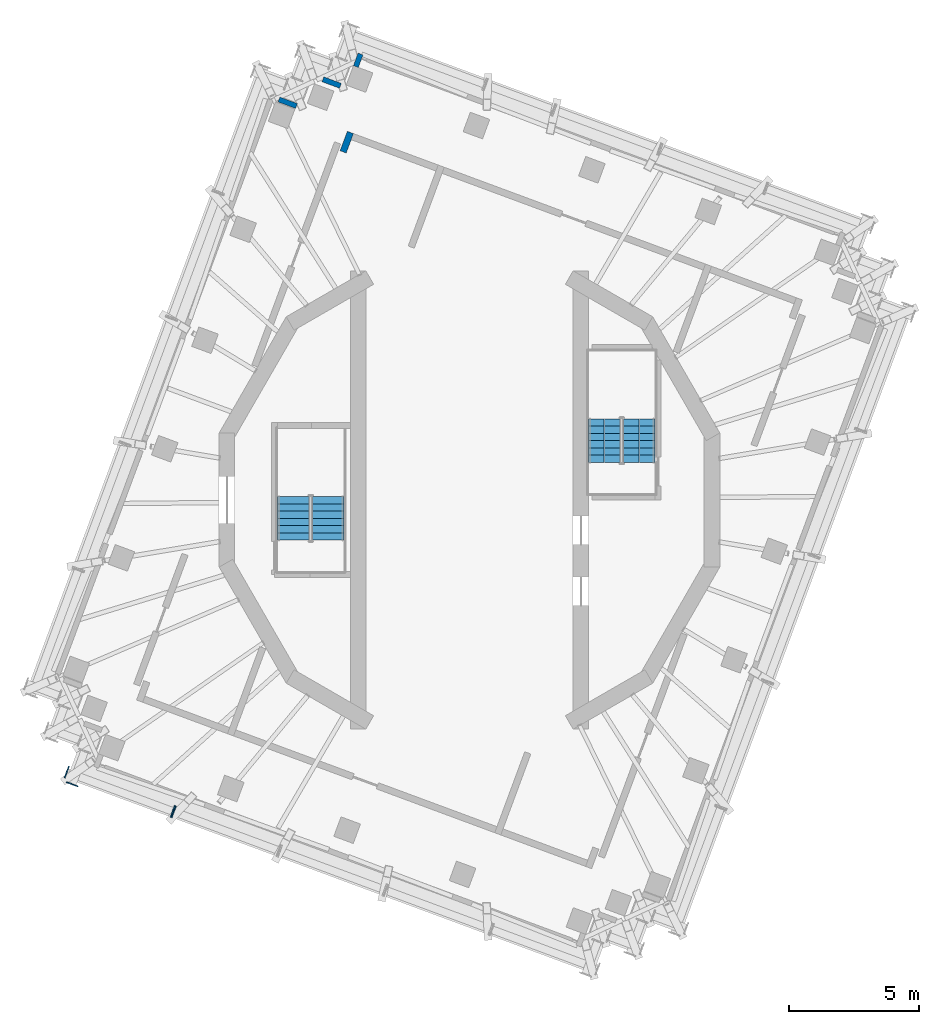
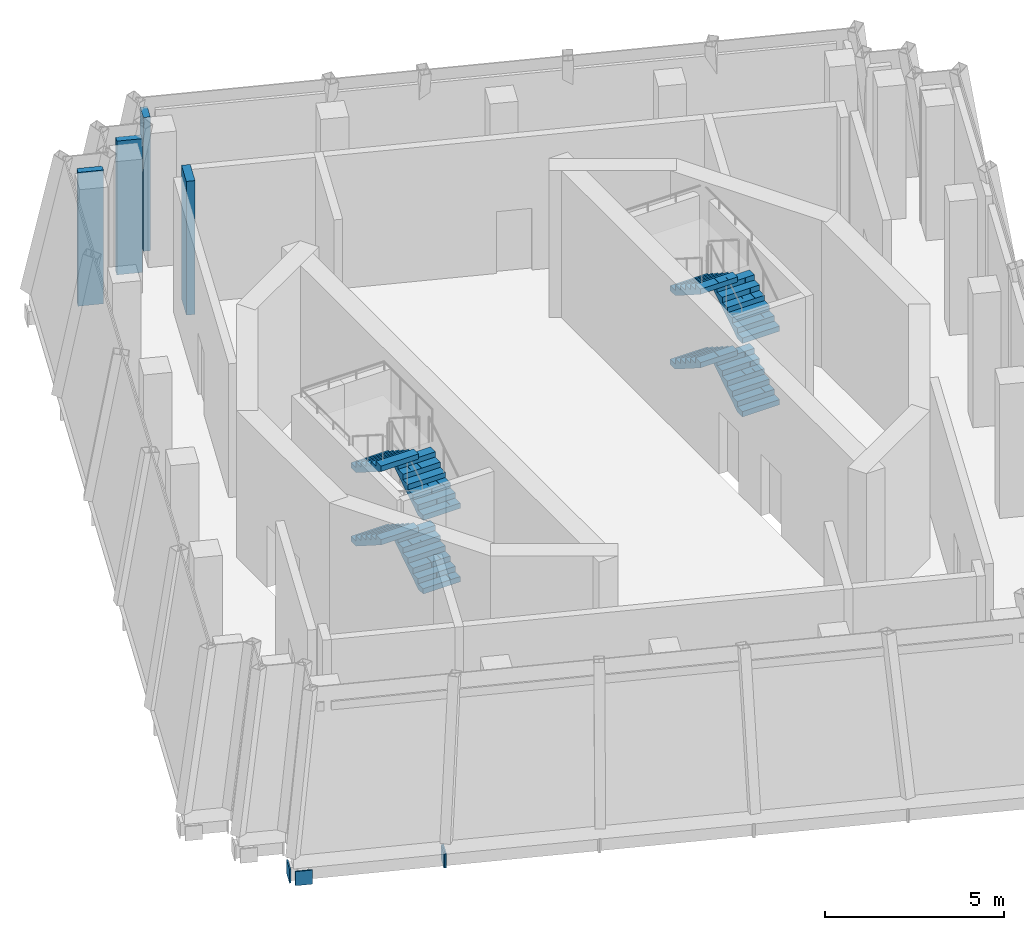
# One storey, part 6 of 13: 8 stair flights, 4 discrete accessories, 4 walls, 5 elements without a shape of their own.
"""IFC4 building model written with IfcOpenShell, lengths in metres."""

from ifc_helpers import new_model, si_unit, direction, frame, frame_2d, origin, place, context, subcontext, project, spatial, polyline, rectangle, outline, extrude, material, layer, layer_set, type_object, element, aggregate, save


model = new_model("IFC4")

# Units and contexts
model_context = context("Model", 3, precision=1e-05, world=origin(), true_north=direction((0.0, 1.0)))
body_context = subcontext(model_context, "Body", "Model", "MODEL_VIEW")
ifc_project = project(units=[si_unit("LENGTHUNIT", "METRE"), si_unit("AREAUNIT", "SQUARE_METRE"), si_unit("VOLUMEUNIT", "CUBIC_METRE"), si_unit("PLANEANGLEUNIT", "RADIAN"), si_unit("MASSUNIT", "GRAM", prefix="KILO")], contexts=[model_context])

# Site, building, storey
site_placement = place(None, origin())
site = spatial("IfcSite", under=ifc_project, at=site_placement, CompositionType="ELEMENT")
building_placement = place(site_placement, origin())
building = spatial("IfcBuilding", under=site, at=building_placement, Name="Cantera Rosa Tower", CompositionType="ELEMENT")
storey_placement = place(building_placement, frame((0.0, 0.0, 355.699951171875)))
storey = spatial("IfcBuildingStorey", under=building, at=storey_placement, Name="L80", CompositionType="ELEMENT", Elevation=355.699951171875)

# Walls
ifc_material_1 = material(Name="Masonry blockwork", Category="masonry")
ifc_layer_1 = layer(ifc_material_1, 0.199951171875)
ifc_layer_set_1 = layer_set([ifc_layer_1], Name="Blockwork partition 200")
wall_type_1 = type_object("IfcWallType", Name="Blockwork partition 200", PredefinedType="PARTITIONING", material=ifc_layer_set_1)
wall_1_placement = place(storey_placement, frame((-4.385009765625, 16.7265625, 0.0), z_axis=(0.0, 0.0, 1.0), x_axis=(0.347545352018, 0.937663174221, 0.0)))
element("IfcWall", 1, at=wall_1_placement, inside=storey, type_object=wall_type_1, Name="Partition L80-27", PredefinedType="PARTITIONING", context=body_context, shape_type="SweptSolid", body=[
    extrude(rectangle(XDim=0.516357421875, YDim=0.199951171875, at=frame_2d((0.25830078125, 0.0))), origin(), (0.0, 0.0, 1.0), 4.550048828125),
])
for number, where, z_axis, x_axis, name in (
    (2, (-6.6767578125, 15.20458984375, 0.0), (0.0, 0.0, 1.0), (-0.937756942673, 0.34729226376, 0.0), "Partition L80-34"),
    (3, (-4.98046875, 15.983642578125, 0.0), (0.0, 0.0, 1.0), (-0.937646454499, 0.347590457816, 0.0), "Partition L80-36"),
):
    element("IfcWall", number, at=place(storey_placement, frame(where, z_axis=z_axis, x_axis=x_axis)), inside=storey, type_object=wall_type_1, Name=name, PredefinedType="PARTITIONING", context=body_context, shape_type="SweptSolid", body=[
        extrude(rectangle(XDim=0.719970703125, YDim=0.199951171875, at=frame_2d((0.35986328125, 0.0))), origin(), (0.0, 0.0, 1.0), 4.550048828125),
    ])
ifc_material_2 = material(Name="Masonry blockwork", Category="masonry")
ifc_layer_2 = layer(ifc_material_2, 0.25)
ifc_layer_set_2 = layer_set([ifc_layer_2], Name="Fire-rated wall 250")
wall_type_2 = type_object("IfcWallType", Name="Fire-rated wall 250", PredefinedType="PARTITIONING", material=ifc_layer_set_2)
wall_2_placement = place(storey_placement, frame((-4.875244140625, 13.43408203125, 0.0), z_axis=(0.0, 0.0, 1.0), x_axis=(0.347672542266, 0.937616021277, 0.0)))
element("IfcWall", 4, at=wall_2_placement, inside=storey, type_object=wall_type_2, Name="Fire wall L80-7", PredefinedType="PARTITIONING", context=body_context, shape_type="SweptSolid", body=[
    extrude(rectangle(XDim=0.799072265625, YDim=0.25, at=frame_2d((0.3994140625, 0.0))), origin(), (0.0, 0.0, 1.0), 4.550048828125),
])

# Stair, stair flights
ifc_material_3 = material(Name="Concrete C35/45", Category="concrete")
stair_type = type_object("IfcStairType", Name="EXIT STAIR 1200 DOGLEG", PredefinedType="HALF_TURN_STAIR", material=ifc_material_3)
stair_1_placement = place(storey_placement, origin())
stair_1 = element("IfcStair", 5, at=stair_1_placement, inside=storey, type_object=stair_type, Name="L80 ST-71", PredefinedType="HALF_TURN_STAIR")
ifc_material_4 = material(Name="Concrete C35/45", Category="concrete")
stair_flight_type = type_object("IfcStairFlightType", Name="STAIR FLIGHT 1200 R28x179", PredefinedType="STRAIGHT", material=ifc_material_4)
stair_flight_1_placement = place(storey_placement, frame((-5.449951171875, -1.550048828125, 0.0), z_axis=(0.0, 0.0, 1.0), x_axis=(0.0, 1.0, 0.0)))
stair_flight_1 = element("IfcStairFlight", 6, at=stair_flight_1_placement, type_object=stair_flight_type, Name="ST-71 flight 1", NumberOfRisers=7, NumberOfTreads=6, PredefinedType="STRAIGHT", RiserHeight=0.178571429, TreadLength=0.28, context=body_context, shape_type="SweptSolid", body=[
    extrude(outline(polyline([(0.0, 0.0), (0.0, 0.178466796875), (0.280029296875, 0.178466796875), (0.280029296875, 0.357177734375), (0.56005859375, 0.357177734375), (0.56005859375, 0.53564453125), (0.840087890625, 0.53564453125), (0.840087890625, 0.71435546875), (1.1201171875, 0.71435546875), (1.1201171875, 0.892822265625), (1.39990234375, 0.892822265625), (1.39990234375, 1.071533203125), (1.679931640625, 1.071533203125), (1.679931640625, 1.25), (1.679931640625, 0.8935546875), (0.27880859375, 0.0), (0.0, 0.0)])), frame((0.0, 0.60009765625, 0.0), z_axis=(0.0, -1.0, 0.0), x_axis=(1.0, 0.0, 0.0)), (0.0, 0.0, 1.0), 0.298583984375),
    extrude(outline(polyline([(0.0, 0.0), (0.0, 0.178466796875), (0.280029296875, 0.178466796875), (0.280029296875, 0.357177734375), (0.56005859375, 0.357177734375), (0.56005859375, 0.53564453125), (0.840087890625, 0.53564453125), (0.840087890625, 0.71435546875), (1.1201171875, 0.71435546875), (1.1201171875, 0.892822265625), (1.39990234375, 0.892822265625), (1.39990234375, 1.071533203125), (1.679931640625, 1.071533203125), (1.679931640625, 1.25), (1.679931640625, 0.8935546875), (0.27880859375, 0.0), (0.0, 0.0)])), frame((0.0, 0.29931640625, 0.0), z_axis=(0.0, -1.0, 0.0), x_axis=(1.0, 0.0, 0.0)), (0.0, 0.0, 1.0), 0.298583984375),
    extrude(outline(polyline([(0.0, 0.0), (0.0, 0.178466796875), (0.280029296875, 0.178466796875), (0.280029296875, 0.357177734375), (0.56005859375, 0.357177734375), (0.56005859375, 0.53564453125), (0.840087890625, 0.53564453125), (0.840087890625, 0.71435546875), (1.1201171875, 0.71435546875), (1.1201171875, 0.892822265625), (1.39990234375, 0.892822265625), (1.39990234375, 1.071533203125), (1.679931640625, 1.071533203125), (1.679931640625, 1.25), (1.679931640625, 0.8935546875), (0.27880859375, 0.0), (0.0, 0.0)])), frame((0.0, -0.0009765625, 0.0), z_axis=(0.0, -1.0, 0.0), x_axis=(1.0, 0.0, 0.0)), (0.0, 0.0, 1.0), 0.298583984375),
    extrude(outline(polyline([(0.0, 0.0), (0.0, 0.178466796875), (0.280029296875, 0.178466796875), (0.280029296875, 0.357177734375), (0.56005859375, 0.357177734375), (0.56005859375, 0.53564453125), (0.840087890625, 0.53564453125), (0.840087890625, 0.71435546875), (1.1201171875, 0.71435546875), (1.1201171875, 0.892822265625), (1.39990234375, 0.892822265625), (1.39990234375, 1.071533203125), (1.679931640625, 1.071533203125), (1.679931640625, 1.25), (1.679931640625, 0.8935546875), (0.27880859375, 0.0), (0.0, 0.0)])), frame((0.0, -0.3017578125, 0.0), z_axis=(0.0, -1.0, 0.0), x_axis=(1.0, 0.0, 0.0)), (0.0, 0.0, 1.0), 0.298583984375),
])
stair_flight_2_placement = place(storey_placement, frame((-6.800048828125, 0.1298828125, 1.25), z_axis=(0.0, 0.0, 1.0), x_axis=(0.0, -1.0, 0.0)))
stair_flight_2 = element("IfcStairFlight", 7, at=stair_flight_2_placement, type_object=stair_flight_type, Name="ST-71 flight 2", NumberOfRisers=7, NumberOfTreads=6, PredefinedType="STRAIGHT", RiserHeight=0.178571429, TreadLength=0.28, context=body_context, shape_type="SweptSolid", body=[
    extrude(outline(polyline([(0.0, 0.0), (0.0, 0.178466796875), (0.280029296875, 0.178466796875), (0.280029296875, 0.357177734375), (0.56005859375, 0.357177734375), (0.56005859375, 0.53564453125), (0.840087890625, 0.53564453125), (0.840087890625, 0.71435546875), (1.1201171875, 0.71435546875), (1.1201171875, 0.892822265625), (1.39990234375, 0.892822265625), (1.39990234375, 1.071533203125), (1.679931640625, 1.071533203125), (1.679931640625, 1.25), (1.679931640625, 0.8935546875), (0.27880859375, 0.0), (0.0, 0.0)])), frame((0.0, 0.60009765625, 0.0), z_axis=(0.0, -1.0, 0.0), x_axis=(1.0, 0.0, 0.0)), (0.0, 0.0, 1.0), 0.298583984375),
    extrude(outline(polyline([(0.0, 0.0), (0.0, 0.178466796875), (0.280029296875, 0.178466796875), (0.280029296875, 0.357177734375), (0.56005859375, 0.357177734375), (0.56005859375, 0.53564453125), (0.840087890625, 0.53564453125), (0.840087890625, 0.71435546875), (1.1201171875, 0.71435546875), (1.1201171875, 0.892822265625), (1.39990234375, 0.892822265625), (1.39990234375, 1.071533203125), (1.679931640625, 1.071533203125), (1.679931640625, 1.25), (1.679931640625, 0.8935546875), (0.27880859375, 0.0), (0.0, 0.0)])), frame((0.0, 0.29931640625, 0.0), z_axis=(0.0, -1.0, 0.0), x_axis=(1.0, 0.0, 0.0)), (0.0, 0.0, 1.0), 0.298583984375),
    extrude(outline(polyline([(0.0, 0.0), (0.0, 0.178466796875), (0.280029296875, 0.178466796875), (0.280029296875, 0.357177734375), (0.56005859375, 0.357177734375), (0.56005859375, 0.53564453125), (0.840087890625, 0.53564453125), (0.840087890625, 0.71435546875), (1.1201171875, 0.71435546875), (1.1201171875, 0.892822265625), (1.39990234375, 0.892822265625), (1.39990234375, 1.071533203125), (1.679931640625, 1.071533203125), (1.679931640625, 1.25), (1.679931640625, 0.8935546875), (0.27880859375, 0.0), (0.0, 0.0)])), frame((0.0, -0.0009765625, 0.0), z_axis=(0.0, -1.0, 0.0), x_axis=(1.0, 0.0, 0.0)), (0.0, 0.0, 1.0), 0.298583984375),
    extrude(outline(polyline([(0.0, 0.0), (0.0, 0.178466796875), (0.280029296875, 0.178466796875), (0.280029296875, 0.357177734375), (0.56005859375, 0.357177734375), (0.56005859375, 0.53564453125), (0.840087890625, 0.53564453125), (0.840087890625, 0.71435546875), (1.1201171875, 0.71435546875), (1.1201171875, 0.892822265625), (1.39990234375, 0.892822265625), (1.39990234375, 1.071533203125), (1.679931640625, 1.071533203125), (1.679931640625, 1.25), (1.679931640625, 0.8935546875), (0.27880859375, 0.0), (0.0, 0.0)])), frame((0.0, -0.3017578125, 0.0), z_axis=(0.0, -1.0, 0.0), x_axis=(1.0, 0.0, 0.0)), (0.0, 0.0, 1.0), 0.298583984375),
])
stair_flight_3_placement = place(storey_placement, frame((-5.449951171875, -1.550048828125, 2.5), z_axis=(0.0, 0.0, 1.0), x_axis=(0.0, 1.0, 0.0)))
stair_flight_3 = element("IfcStairFlight", 8, at=stair_flight_3_placement, type_object=stair_flight_type, Name="ST-71 flight 3", NumberOfRisers=7, NumberOfTreads=6, PredefinedType="STRAIGHT", RiserHeight=0.178571429, TreadLength=0.28, context=body_context, shape_type="SweptSolid", body=[
    extrude(outline(polyline([(0.0, 0.0), (0.0, 0.178466796875), (0.280029296875, 0.178466796875), (0.280029296875, 0.357177734375), (0.56005859375, 0.357177734375), (0.56005859375, 0.53564453125), (0.840087890625, 0.53564453125), (0.840087890625, 0.71435546875), (1.1201171875, 0.71435546875), (1.1201171875, 0.892822265625), (1.39990234375, 0.892822265625), (1.39990234375, 1.071533203125), (1.679931640625, 1.071533203125), (1.679931640625, 1.25), (1.679931640625, 0.8935546875), (0.27880859375, 0.0), (0.0, 0.0)])), frame((0.0, 0.60009765625, 0.0), z_axis=(0.0, -1.0, 0.0), x_axis=(1.0, 0.0, 0.0)), (0.0, 0.0, 1.0), 0.298583984375),
    extrude(outline(polyline([(0.0, 0.0), (0.0, 0.178466796875), (0.280029296875, 0.178466796875), (0.280029296875, 0.357177734375), (0.56005859375, 0.357177734375), (0.56005859375, 0.53564453125), (0.840087890625, 0.53564453125), (0.840087890625, 0.71435546875), (1.1201171875, 0.71435546875), (1.1201171875, 0.892822265625), (1.39990234375, 0.892822265625), (1.39990234375, 1.071533203125), (1.679931640625, 1.071533203125), (1.679931640625, 1.25), (1.679931640625, 0.8935546875), (0.27880859375, 0.0), (0.0, 0.0)])), frame((0.0, 0.29931640625, 0.0), z_axis=(0.0, -1.0, 0.0), x_axis=(1.0, 0.0, 0.0)), (0.0, 0.0, 1.0), 0.298583984375),
    extrude(outline(polyline([(0.0, 0.0), (0.0, 0.178466796875), (0.280029296875, 0.178466796875), (0.280029296875, 0.357177734375), (0.56005859375, 0.357177734375), (0.56005859375, 0.53564453125), (0.840087890625, 0.53564453125), (0.840087890625, 0.71435546875), (1.1201171875, 0.71435546875), (1.1201171875, 0.892822265625), (1.39990234375, 0.892822265625), (1.39990234375, 1.071533203125), (1.679931640625, 1.071533203125), (1.679931640625, 1.25), (1.679931640625, 0.8935546875), (0.27880859375, 0.0), (0.0, 0.0)])), frame((0.0, -0.0009765625, 0.0), z_axis=(0.0, -1.0, 0.0), x_axis=(1.0, 0.0, 0.0)), (0.0, 0.0, 1.0), 0.298583984375),
    extrude(outline(polyline([(0.0, 0.0), (0.0, 0.178466796875), (0.280029296875, 0.178466796875), (0.280029296875, 0.357177734375), (0.56005859375, 0.357177734375), (0.56005859375, 0.53564453125), (0.840087890625, 0.53564453125), (0.840087890625, 0.71435546875), (1.1201171875, 0.71435546875), (1.1201171875, 0.892822265625), (1.39990234375, 0.892822265625), (1.39990234375, 1.071533203125), (1.679931640625, 1.071533203125), (1.679931640625, 1.25), (1.679931640625, 0.8935546875), (0.27880859375, 0.0), (0.0, 0.0)])), frame((0.0, -0.3017578125, 0.0), z_axis=(0.0, -1.0, 0.0), x_axis=(1.0, 0.0, 0.0)), (0.0, 0.0, 1.0), 0.298583984375),
])
stair_flight_4_placement = place(storey_placement, frame((-6.800048828125, 0.1298828125, 3.75), z_axis=(0.0, 0.0, 1.0), x_axis=(0.0, -1.0, 0.0)))
stair_flight_4 = element("IfcStairFlight", 9, at=stair_flight_4_placement, type_object=stair_flight_type, Name="ST-71 flight 4", NumberOfRisers=7, NumberOfTreads=6, PredefinedType="STRAIGHT", RiserHeight=0.178571429, TreadLength=0.28, context=body_context, shape_type="SweptSolid", body=[
    extrude(outline(polyline([(0.0, 0.0), (0.0, 0.178466796875), (0.280029296875, 0.178466796875), (0.280029296875, 0.357177734375), (0.56005859375, 0.357177734375), (0.56005859375, 0.53564453125), (0.840087890625, 0.53564453125), (0.840087890625, 0.71435546875), (1.1201171875, 0.71435546875), (1.1201171875, 0.892822265625), (1.39990234375, 0.892822265625), (1.39990234375, 1.071533203125), (1.679931640625, 1.071533203125), (1.679931640625, 1.25), (1.679931640625, 0.8935546875), (0.27880859375, 0.0), (0.0, 0.0)])), frame((0.0, 0.60009765625, 0.0), z_axis=(0.0, -1.0, 0.0), x_axis=(1.0, 0.0, 0.0)), (0.0, 0.0, 1.0), 0.298583984375),
    extrude(outline(polyline([(0.0, 0.0), (0.0, 0.178466796875), (0.280029296875, 0.178466796875), (0.280029296875, 0.357177734375), (0.56005859375, 0.357177734375), (0.56005859375, 0.53564453125), (0.840087890625, 0.53564453125), (0.840087890625, 0.71435546875), (1.1201171875, 0.71435546875), (1.1201171875, 0.892822265625), (1.39990234375, 0.892822265625), (1.39990234375, 1.071533203125), (1.679931640625, 1.071533203125), (1.679931640625, 1.25), (1.679931640625, 0.8935546875), (0.27880859375, 0.0), (0.0, 0.0)])), frame((0.0, 0.29931640625, 0.0), z_axis=(0.0, -1.0, 0.0), x_axis=(1.0, 0.0, 0.0)), (0.0, 0.0, 1.0), 0.298583984375),
    extrude(outline(polyline([(0.0, 0.0), (0.0, 0.178466796875), (0.280029296875, 0.178466796875), (0.280029296875, 0.357177734375), (0.56005859375, 0.357177734375), (0.56005859375, 0.53564453125), (0.840087890625, 0.53564453125), (0.840087890625, 0.71435546875), (1.1201171875, 0.71435546875), (1.1201171875, 0.892822265625), (1.39990234375, 0.892822265625), (1.39990234375, 1.071533203125), (1.679931640625, 1.071533203125), (1.679931640625, 1.25), (1.679931640625, 0.8935546875), (0.27880859375, 0.0), (0.0, 0.0)])), frame((0.0, -0.0009765625, 0.0), z_axis=(0.0, -1.0, 0.0), x_axis=(1.0, 0.0, 0.0)), (0.0, 0.0, 1.0), 0.298583984375),
    extrude(outline(polyline([(0.0, 0.0), (0.0, 0.178466796875), (0.280029296875, 0.178466796875), (0.280029296875, 0.357177734375), (0.56005859375, 0.357177734375), (0.56005859375, 0.53564453125), (0.840087890625, 0.53564453125), (0.840087890625, 0.71435546875), (1.1201171875, 0.71435546875), (1.1201171875, 0.892822265625), (1.39990234375, 0.892822265625), (1.39990234375, 1.071533203125), (1.679931640625, 1.071533203125), (1.679931640625, 1.25), (1.679931640625, 0.8935546875), (0.27880859375, 0.0), (0.0, 0.0)])), frame((0.0, -0.3017578125, 0.0), z_axis=(0.0, -1.0, 0.0), x_axis=(1.0, 0.0, 0.0)), (0.0, 0.0, 1.0), 0.298583984375),
])
aggregate(stair_1, [stair_flight_1, stair_flight_2, stair_flight_3, stair_flight_4])

stair_2_placement = place(storey_placement, origin())
stair_2 = element("IfcStair", 10, at=stair_2_placement, inside=storey, type_object=stair_type, Name="L80 ST-72", PredefinedType="HALF_TURN_STAIR")
stair_flight_5_placement = place(storey_placement, frame((6.550048828125, 1.449951171875, 0.0), z_axis=(0.0, 0.0, 1.0), x_axis=(0.0, 1.0, 0.0)))
stair_flight_5 = element("IfcStairFlight", 11, at=stair_flight_5_placement, type_object=stair_flight_type, Name="ST-72 flight 1", NumberOfRisers=7, NumberOfTreads=6, PredefinedType="STRAIGHT", RiserHeight=0.178571429, TreadLength=0.28, context=body_context, shape_type="SweptSolid", body=[
    extrude(outline(polyline([(0.0, 0.0), (0.0, 0.178466796875), (0.280029296875, 0.178466796875), (0.280029296875, 0.357177734375), (0.56005859375, 0.357177734375), (0.56005859375, 0.53564453125), (0.840087890625, 0.53564453125), (0.840087890625, 0.71435546875), (1.1201171875, 0.71435546875), (1.1201171875, 0.892822265625), (1.39990234375, 0.892822265625), (1.39990234375, 1.071533203125), (1.679931640625, 1.071533203125), (1.679931640625, 1.25), (1.679931640625, 0.8935546875), (0.27880859375, 0.0), (0.0, 0.0)])), frame((0.0, 0.60009765625, 0.0), z_axis=(0.0, -1.0, 0.0), x_axis=(1.0, 0.0, 0.0)), (0.0, 0.0, 1.0), 0.298583984375),
    extrude(outline(polyline([(0.0, 0.0), (0.0, 0.178466796875), (0.280029296875, 0.178466796875), (0.280029296875, 0.357177734375), (0.56005859375, 0.357177734375), (0.56005859375, 0.53564453125), (0.840087890625, 0.53564453125), (0.840087890625, 0.71435546875), (1.1201171875, 0.71435546875), (1.1201171875, 0.892822265625), (1.39990234375, 0.892822265625), (1.39990234375, 1.071533203125), (1.679931640625, 1.071533203125), (1.679931640625, 1.25), (1.679931640625, 0.8935546875), (0.27880859375, 0.0), (0.0, 0.0)])), frame((0.0, 0.29931640625, 0.0), z_axis=(0.0, -1.0, 0.0), x_axis=(1.0, 0.0, 0.0)), (0.0, 0.0, 1.0), 0.298583984375),
    extrude(outline(polyline([(0.0, 0.0), (0.0, 0.178466796875), (0.280029296875, 0.178466796875), (0.280029296875, 0.357177734375), (0.56005859375, 0.357177734375), (0.56005859375, 0.53564453125), (0.840087890625, 0.53564453125), (0.840087890625, 0.71435546875), (1.1201171875, 0.71435546875), (1.1201171875, 0.892822265625), (1.39990234375, 0.892822265625), (1.39990234375, 1.071533203125), (1.679931640625, 1.071533203125), (1.679931640625, 1.25), (1.679931640625, 0.8935546875), (0.27880859375, 0.0), (0.0, 0.0)])), frame((0.0, -0.0009765625, 0.0), z_axis=(0.0, -1.0, 0.0), x_axis=(1.0, 0.0, 0.0)), (0.0, 0.0, 1.0), 0.298583984375),
    extrude(outline(polyline([(0.0, 0.0), (0.0, 0.178466796875), (0.280029296875, 0.178466796875), (0.280029296875, 0.357177734375), (0.56005859375, 0.357177734375), (0.56005859375, 0.53564453125), (0.840087890625, 0.53564453125), (0.840087890625, 0.71435546875), (1.1201171875, 0.71435546875), (1.1201171875, 0.892822265625), (1.39990234375, 0.892822265625), (1.39990234375, 1.071533203125), (1.679931640625, 1.071533203125), (1.679931640625, 1.25), (1.679931640625, 0.8935546875), (0.27880859375, 0.0), (0.0, 0.0)])), frame((0.0, -0.3017578125, 0.0), z_axis=(0.0, -1.0, 0.0), x_axis=(1.0, 0.0, 0.0)), (0.0, 0.0, 1.0), 0.298583984375),
])
stair_flight_6_placement = place(storey_placement, frame((5.199951171875, 3.1298828125, 1.25), z_axis=(0.0, 0.0, 1.0), x_axis=(0.0, -1.0, 0.0)))
stair_flight_6 = element("IfcStairFlight", 12, at=stair_flight_6_placement, type_object=stair_flight_type, Name="ST-72 flight 2", NumberOfRisers=7, NumberOfTreads=6, PredefinedType="STRAIGHT", RiserHeight=0.178571429, TreadLength=0.28, context=body_context, shape_type="SweptSolid", body=[
    extrude(outline(polyline([(0.0, 0.0), (0.0, 0.178466796875), (0.280029296875, 0.178466796875), (0.280029296875, 0.357177734375), (0.56005859375, 0.357177734375), (0.56005859375, 0.53564453125), (0.840087890625, 0.53564453125), (0.840087890625, 0.71435546875), (1.1201171875, 0.71435546875), (1.1201171875, 0.892822265625), (1.39990234375, 0.892822265625), (1.39990234375, 1.071533203125), (1.679931640625, 1.071533203125), (1.679931640625, 1.25), (1.679931640625, 0.8935546875), (0.27880859375, 0.0), (0.0, 0.0)])), frame((0.0, 0.60009765625, 0.0), z_axis=(0.0, -1.0, 0.0), x_axis=(1.0, 0.0, 0.0)), (0.0, 0.0, 1.0), 0.298583984375),
    extrude(outline(polyline([(0.0, 0.0), (0.0, 0.178466796875), (0.280029296875, 0.178466796875), (0.280029296875, 0.357177734375), (0.56005859375, 0.357177734375), (0.56005859375, 0.53564453125), (0.840087890625, 0.53564453125), (0.840087890625, 0.71435546875), (1.1201171875, 0.71435546875), (1.1201171875, 0.892822265625), (1.39990234375, 0.892822265625), (1.39990234375, 1.071533203125), (1.679931640625, 1.071533203125), (1.679931640625, 1.25), (1.679931640625, 0.8935546875), (0.27880859375, 0.0), (0.0, 0.0)])), frame((0.0, 0.29931640625, 0.0), z_axis=(0.0, -1.0, 0.0), x_axis=(1.0, 0.0, 0.0)), (0.0, 0.0, 1.0), 0.298583984375),
    extrude(outline(polyline([(0.0, 0.0), (0.0, 0.178466796875), (0.280029296875, 0.178466796875), (0.280029296875, 0.357177734375), (0.56005859375, 0.357177734375), (0.56005859375, 0.53564453125), (0.840087890625, 0.53564453125), (0.840087890625, 0.71435546875), (1.1201171875, 0.71435546875), (1.1201171875, 0.892822265625), (1.39990234375, 0.892822265625), (1.39990234375, 1.071533203125), (1.679931640625, 1.071533203125), (1.679931640625, 1.25), (1.679931640625, 0.8935546875), (0.27880859375, 0.0), (0.0, 0.0)])), frame((0.0, -0.0009765625, 0.0), z_axis=(0.0, -1.0, 0.0), x_axis=(1.0, 0.0, 0.0)), (0.0, 0.0, 1.0), 0.298583984375),
    extrude(outline(polyline([(0.0, 0.0), (0.0, 0.178466796875), (0.280029296875, 0.178466796875), (0.280029296875, 0.357177734375), (0.56005859375, 0.357177734375), (0.56005859375, 0.53564453125), (0.840087890625, 0.53564453125), (0.840087890625, 0.71435546875), (1.1201171875, 0.71435546875), (1.1201171875, 0.892822265625), (1.39990234375, 0.892822265625), (1.39990234375, 1.071533203125), (1.679931640625, 1.071533203125), (1.679931640625, 1.25), (1.679931640625, 0.8935546875), (0.27880859375, 0.0), (0.0, 0.0)])), frame((0.0, -0.3017578125, 0.0), z_axis=(0.0, -1.0, 0.0), x_axis=(1.0, 0.0, 0.0)), (0.0, 0.0, 1.0), 0.298583984375),
])
stair_flight_7_placement = place(storey_placement, frame((6.550048828125, 1.449951171875, 2.5), z_axis=(0.0, 0.0, 1.0), x_axis=(0.0, 1.0, 0.0)))
stair_flight_7 = element("IfcStairFlight", 13, at=stair_flight_7_placement, type_object=stair_flight_type, Name="ST-72 flight 3", NumberOfRisers=7, NumberOfTreads=6, PredefinedType="STRAIGHT", RiserHeight=0.178571429, TreadLength=0.28, context=body_context, shape_type="SweptSolid", body=[
    extrude(outline(polyline([(0.0, 0.0), (0.0, 0.178466796875), (0.280029296875, 0.178466796875), (0.280029296875, 0.357177734375), (0.56005859375, 0.357177734375), (0.56005859375, 0.53564453125), (0.840087890625, 0.53564453125), (0.840087890625, 0.71435546875), (1.1201171875, 0.71435546875), (1.1201171875, 0.892822265625), (1.39990234375, 0.892822265625), (1.39990234375, 1.071533203125), (1.679931640625, 1.071533203125), (1.679931640625, 1.25), (1.679931640625, 0.8935546875), (0.27880859375, 0.0), (0.0, 0.0)])), frame((0.0, 0.60009765625, 0.0), z_axis=(0.0, -1.0, 0.0), x_axis=(1.0, 0.0, 0.0)), (0.0, 0.0, 1.0), 0.298583984375),
    extrude(outline(polyline([(0.0, 0.0), (0.0, 0.178466796875), (0.280029296875, 0.178466796875), (0.280029296875, 0.357177734375), (0.56005859375, 0.357177734375), (0.56005859375, 0.53564453125), (0.840087890625, 0.53564453125), (0.840087890625, 0.71435546875), (1.1201171875, 0.71435546875), (1.1201171875, 0.892822265625), (1.39990234375, 0.892822265625), (1.39990234375, 1.071533203125), (1.679931640625, 1.071533203125), (1.679931640625, 1.25), (1.679931640625, 0.8935546875), (0.27880859375, 0.0), (0.0, 0.0)])), frame((0.0, 0.29931640625, 0.0), z_axis=(0.0, -1.0, 0.0), x_axis=(1.0, 0.0, 0.0)), (0.0, 0.0, 1.0), 0.298583984375),
    extrude(outline(polyline([(0.0, 0.0), (0.0, 0.178466796875), (0.280029296875, 0.178466796875), (0.280029296875, 0.357177734375), (0.56005859375, 0.357177734375), (0.56005859375, 0.53564453125), (0.840087890625, 0.53564453125), (0.840087890625, 0.71435546875), (1.1201171875, 0.71435546875), (1.1201171875, 0.892822265625), (1.39990234375, 0.892822265625), (1.39990234375, 1.071533203125), (1.679931640625, 1.071533203125), (1.679931640625, 1.25), (1.679931640625, 0.8935546875), (0.27880859375, 0.0), (0.0, 0.0)])), frame((0.0, -0.0009765625, 0.0), z_axis=(0.0, -1.0, 0.0), x_axis=(1.0, 0.0, 0.0)), (0.0, 0.0, 1.0), 0.298583984375),
    extrude(outline(polyline([(0.0, 0.0), (0.0, 0.178466796875), (0.280029296875, 0.178466796875), (0.280029296875, 0.357177734375), (0.56005859375, 0.357177734375), (0.56005859375, 0.53564453125), (0.840087890625, 0.53564453125), (0.840087890625, 0.71435546875), (1.1201171875, 0.71435546875), (1.1201171875, 0.892822265625), (1.39990234375, 0.892822265625), (1.39990234375, 1.071533203125), (1.679931640625, 1.071533203125), (1.679931640625, 1.25), (1.679931640625, 0.8935546875), (0.27880859375, 0.0), (0.0, 0.0)])), frame((0.0, -0.3017578125, 0.0), z_axis=(0.0, -1.0, 0.0), x_axis=(1.0, 0.0, 0.0)), (0.0, 0.0, 1.0), 0.298583984375),
])
stair_flight_8_placement = place(storey_placement, frame((5.199951171875, 3.1298828125, 3.75), z_axis=(0.0, 0.0, 1.0), x_axis=(0.0, -1.0, 0.0)))
stair_flight_8 = element("IfcStairFlight", 14, at=stair_flight_8_placement, type_object=stair_flight_type, Name="ST-72 flight 4", NumberOfRisers=7, NumberOfTreads=6, PredefinedType="STRAIGHT", RiserHeight=0.178571429, TreadLength=0.28, context=body_context, shape_type="SweptSolid", body=[
    extrude(outline(polyline([(0.0, 0.0), (0.0, 0.178466796875), (0.280029296875, 0.178466796875), (0.280029296875, 0.357177734375), (0.56005859375, 0.357177734375), (0.56005859375, 0.53564453125), (0.840087890625, 0.53564453125), (0.840087890625, 0.71435546875), (1.1201171875, 0.71435546875), (1.1201171875, 0.892822265625), (1.39990234375, 0.892822265625), (1.39990234375, 1.071533203125), (1.679931640625, 1.071533203125), (1.679931640625, 1.25), (1.679931640625, 0.8935546875), (0.27880859375, 0.0), (0.0, 0.0)])), frame((0.0, 0.60009765625, 0.0), z_axis=(0.0, -1.0, 0.0), x_axis=(1.0, 0.0, 0.0)), (0.0, 0.0, 1.0), 0.298583984375),
    extrude(outline(polyline([(0.0, 0.0), (0.0, 0.178466796875), (0.280029296875, 0.178466796875), (0.280029296875, 0.357177734375), (0.56005859375, 0.357177734375), (0.56005859375, 0.53564453125), (0.840087890625, 0.53564453125), (0.840087890625, 0.71435546875), (1.1201171875, 0.71435546875), (1.1201171875, 0.892822265625), (1.39990234375, 0.892822265625), (1.39990234375, 1.071533203125), (1.679931640625, 1.071533203125), (1.679931640625, 1.25), (1.679931640625, 0.8935546875), (0.27880859375, 0.0), (0.0, 0.0)])), frame((0.0, 0.29931640625, 0.0), z_axis=(0.0, -1.0, 0.0), x_axis=(1.0, 0.0, 0.0)), (0.0, 0.0, 1.0), 0.298583984375),
    extrude(outline(polyline([(0.0, 0.0), (0.0, 0.178466796875), (0.280029296875, 0.178466796875), (0.280029296875, 0.357177734375), (0.56005859375, 0.357177734375), (0.56005859375, 0.53564453125), (0.840087890625, 0.53564453125), (0.840087890625, 0.71435546875), (1.1201171875, 0.71435546875), (1.1201171875, 0.892822265625), (1.39990234375, 0.892822265625), (1.39990234375, 1.071533203125), (1.679931640625, 1.071533203125), (1.679931640625, 1.25), (1.679931640625, 0.8935546875), (0.27880859375, 0.0), (0.0, 0.0)])), frame((0.0, -0.0009765625, 0.0), z_axis=(0.0, -1.0, 0.0), x_axis=(1.0, 0.0, 0.0)), (0.0, 0.0, 1.0), 0.298583984375),
    extrude(outline(polyline([(0.0, 0.0), (0.0, 0.178466796875), (0.280029296875, 0.178466796875), (0.280029296875, 0.357177734375), (0.56005859375, 0.357177734375), (0.56005859375, 0.53564453125), (0.840087890625, 0.53564453125), (0.840087890625, 0.71435546875), (1.1201171875, 0.71435546875), (1.1201171875, 0.892822265625), (1.39990234375, 0.892822265625), (1.39990234375, 1.071533203125), (1.679931640625, 1.071533203125), (1.679931640625, 1.25), (1.679931640625, 0.8935546875), (0.27880859375, 0.0), (0.0, 0.0)])), frame((0.0, -0.3017578125, 0.0), z_axis=(0.0, -1.0, 0.0), x_axis=(1.0, 0.0, 0.0)), (0.0, 0.0, 1.0), 0.298583984375),
])
aggregate(stair_2, [stair_flight_5, stair_flight_6, stair_flight_7, stair_flight_8])

# Curtain wall, discrete accessory
ifc_material_5 = material(Name="Aluminium frame with clear glass", Category="aluminium")
curtain_wall_type = type_object("IfcCurtainWallType", Name="CW4 CROWN GLAZING", PredefinedType="NOTDEFINED", material=ifc_material_5)
curtain_wall_1_placement = place(storey_placement, origin())
curtain_wall_1 = element("IfcCurtainWall", 15, at=curtain_wall_1_placement, inside=storey, type_object=curtain_wall_type, Name="CW4 L80-18", PredefinedType="NOTDEFINED")
ifc_material_6 = material(Name="Steel S355J2 (EN 10025-2)", Category="steel")
ifc_layer_3 = layer(ifc_material_6, 0.030029296875)
ifc_layer_set_3 = layer_set([ifc_layer_3], Name="NODE PLATE 30")
discrete_accessory_type = type_object("IfcDiscreteAccessoryType", Name="NODE PLATE 30", PredefinedType="ANCHORPLATE", material=ifc_layer_set_3)
discrete_accessory_1_placement = place(storey_placement, frame((-15.109375, -11.074951171875, -0.43505859375), z_axis=(-0.347330918501, -0.937742626232, 0.0), x_axis=(-0.937742626232, 0.347330918501, 0.0)))
discrete_accessory_1 = element("IfcDiscreteAccessory", 16, at=discrete_accessory_1_placement, type_object=discrete_accessory_type, Name="END PLATE TE1", PredefinedType="ANCHORPLATE", context=body_context, shape_type="SweptSolid", body=[
    extrude(outline(polyline([(0.0, 0.0), (0.4800840869406107, 0.0), (0.4800840869406107, 0.47998046875), (0.0, 0.47998046875), (0.0, 0.0)])), origin(), (0.0, 0.0, -1.0), 0.0400390625),
])
aggregate(curtain_wall_1, [discrete_accessory_1])

# Curtain wall, discrete accessories
curtain_wall_2_placement = place(storey_placement, origin())
curtain_wall_2 = element("IfcCurtainWall", 17, at=curtain_wall_2_placement, inside=storey, type_object=curtain_wall_type, Name="CW4 L80-19", PredefinedType="NOTDEFINED")
discrete_accessory_2_placement = place(storey_placement, frame((-15.643798828125, -10.719482421875, -0.43505859375), z_axis=(-0.937681233018, 0.347496626235, 0.0), x_axis=(0.347496626235, 0.937681233018, 0.0)))
discrete_accessory_2 = element("IfcDiscreteAccessory", 18, at=discrete_accessory_2_placement, type_object=discrete_accessory_type, Name="END PLATE TE0", PredefinedType="ANCHORPLATE", context=body_context, shape_type="SweptSolid", body=[
    extrude(outline(polyline([(0.0, 0.0), (0.4798551533622547, 0.0), (0.4798551533622547, 0.47998046875), (0.0, 0.47998046875), (0.0, 0.0)])), origin(), (0.0, 0.0, -1.0), 0.0400390625),
])
discrete_accessory_3_placement = place(storey_placement, frame((-11.31201171875, -11.81298828125, -0.43505859375), z_axis=(0.93751537431, -0.347943850259, 0.0), x_axis=(-0.347943850259, -0.93751537431, 0.0)))
discrete_accessory_3 = element("IfcDiscreteAccessory", 19, at=discrete_accessory_3_placement, type_object=discrete_accessory_type, Name="END PLATE TE1", PredefinedType="ANCHORPLATE", context=body_context, shape_type="SweptSolid", body=[
    extrude(outline(polyline([(0.0, 0.0), (0.47994004600337425, 0.0), (0.47994004600337425, 0.47998046875), (0.0, 0.47998046875), (0.0, 0.0)])), origin(), (0.0, 0.0, -1.0), 0.0400390625),
])
aggregate(curtain_wall_2, [discrete_accessory_2, discrete_accessory_3])

# Curtain wall, discrete accessory
curtain_wall_3_placement = place(storey_placement, origin())
curtain_wall_3 = element("IfcCurtainWall", 20, at=curtain_wall_3_placement, inside=storey, type_object=curtain_wall_type, Name="CW4 L80-20", PredefinedType="NOTDEFINED")
discrete_accessory_4_placement = place(storey_placement, frame((-11.553955078125, -12.235107421875, -0.43505859375), z_axis=(-0.937681233018, 0.347496626235, 0.0), x_axis=(0.347496626235, 0.937681233018, 0.0)))
discrete_accessory_4 = element("IfcDiscreteAccessory", 21, at=discrete_accessory_4_placement, type_object=discrete_accessory_type, Name="END PLATE TE0", PredefinedType="ANCHORPLATE", context=body_context, shape_type="SweptSolid", body=[
    extrude(outline(polyline([(0.0, 0.0), (0.4798551533622547, 0.0), (0.4798551533622547, 0.47998046875), (0.0, 0.47998046875), (0.0, 0.0)])), origin(), (0.0, 0.0, -1.0), 0.0400390625),
])
aggregate(curtain_wall_3, [discrete_accessory_4])

save(model, "model.ifc")
